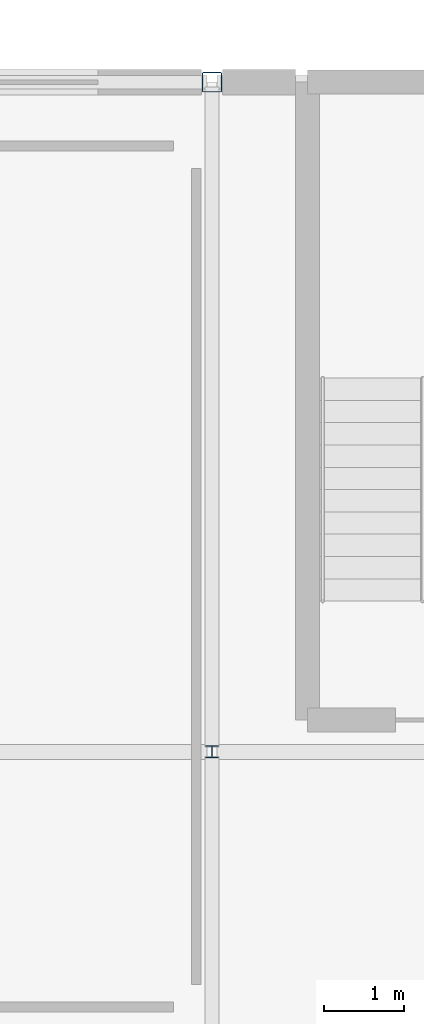
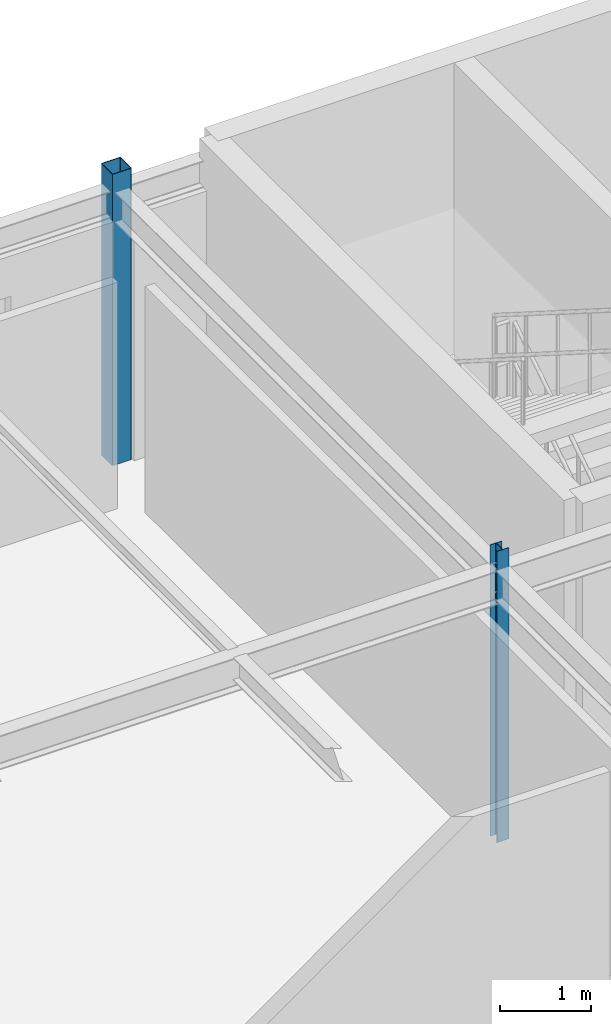
# One storey, part 22 of 98: 2 columns.
"""IFC4 building model written with IfcOpenShell, lengths in metres."""

from ifc_helpers import new_model, si_unit, derived_unit, direction, frame, origin, origin_2d_with_axis, place, context, subcontext, project, spatial, hollow_rectangle, i_section, extrude, material, material_profile, profile_set, type_object, element, save


model = new_model("IFC4")

# Units and contexts
model_context = context("Model", 3, precision=1e-05, world=origin(), true_north=direction((0.0, 1.0)))
body_context = subcontext(model_context, "Body", "Model", "MODEL_VIEW")
ifc_project = project(units=[si_unit("LENGTHUNIT", "METRE"), si_unit("AREAUNIT", "SQUARE_METRE"), si_unit("VOLUMEUNIT", "CUBIC_METRE"), si_unit("PLANEANGLEUNIT", "RADIAN"), si_unit("MASSUNIT", "GRAM", prefix="KILO"), derived_unit("THERMALTRANSMITTANCEUNIT", [(si_unit("POWERUNIT", "WATT"), 1), (si_unit("LENGTHUNIT", "METRE"), -2), (si_unit("THERMODYNAMICTEMPERATUREUNIT", "KELVIN"), -1)])], contexts=[model_context])

# Site, building, storey
site_placement = place(None, origin())
site = spatial("IfcSite", under=ifc_project, at=site_placement, CompositionType="ELEMENT")
building_placement = place(site_placement, origin())
building = spatial("IfcBuilding", under=site, at=building_placement, Name="Cinnabar Yard Market Hall", CompositionType="ELEMENT")
storey_placement = place(building_placement, frame((0.0, 0.0, 4.5)))
storey = spatial("IfcBuildingStorey", under=building, at=storey_placement, Name="L01", CompositionType="ELEMENT", Elevation=4.5)

# Columns
ifc_material_1 = material(Name="Steel Grade 300 (300 MPa)", Category="steel")
ifc_material_profile_1 = material_profile(ifc_material_1, i_section(OverallWidth=0.152099609375, OverallDepth=0.15234375, WebThickness=0.005859375, FlangeThickness=0.0068359375, FilletRadius=0.0087890625, at=origin_2d_with_axis()), Name="150UC23.4")
ifc_profile_set_1 = profile_set([ifc_material_profile_1], Name="Steel Grade 300 (300 MPa)")
column_type_1 = type_object("IfcColumnType", Name="COL-C19", PredefinedType="COLUMN", material=ifc_profile_set_1)
column_1_placement = place(storey_placement, frame((96.0, 129.60009765625, 0.0), z_axis=(0.0, 0.0, 1.0), x_axis=(1.0, 0.0, 0.0)))
element("IfcColumn", 1, at=column_1_placement, inside=storey, type_object=column_type_1, Name="Wing Column V3-04-04 L01", PredefinedType="COLUMN", context=body_context, shape_type="SweptSolid", body=[
    extrude(i_section(OverallWidth=0.152099609375, OverallDepth=0.15234375, WebThickness=0.005859375, FlangeThickness=0.0068359375, FilletRadius=0.0087890625, at=origin_2d_with_axis()), origin(), (0.0, 0.0, 1.0), 3.89990234375),
])
ifc_material_2 = material(Name="Cold-formed steel C350L0", Category="steel")
ifc_material_profile_2 = material_profile(ifc_material_2, hollow_rectangle(XDim=0.25, YDim=0.25, WallThickness=0.009033203125, InnerFilletRadius=0.009033203125, OuterFilletRadius=0.01806640625, at=origin_2d_with_axis()), Name="250x250x9.0SHS")
ifc_profile_set_2 = profile_set([ifc_material_profile_2], Name="Cold-formed steel C350L0")
column_type_2 = type_object("IfcColumnType", Name="COL-C20E", PredefinedType="COLUMN", material=ifc_profile_set_2)
column_2_placement = place(storey_placement, frame((96.0, 138.0, 0.0), z_axis=(0.0, 0.0, 1.0), x_axis=(1.0, 0.0, 0.0)))
element("IfcColumn", 2, at=column_2_placement, inside=storey, type_object=column_type_2, Name="Wing Column V3-04-05 L01", PredefinedType="COLUMN", context=body_context, shape_type="SweptSolid", body=[
    extrude(hollow_rectangle(XDim=0.25, YDim=0.25, WallThickness=0.009033203125, InnerFilletRadius=0.009033203125, OuterFilletRadius=0.01806640625, at=origin_2d_with_axis()), origin(), (0.0, 0.0, 1.0), 3.89990234375),
])

save(model, "model.ifc")
